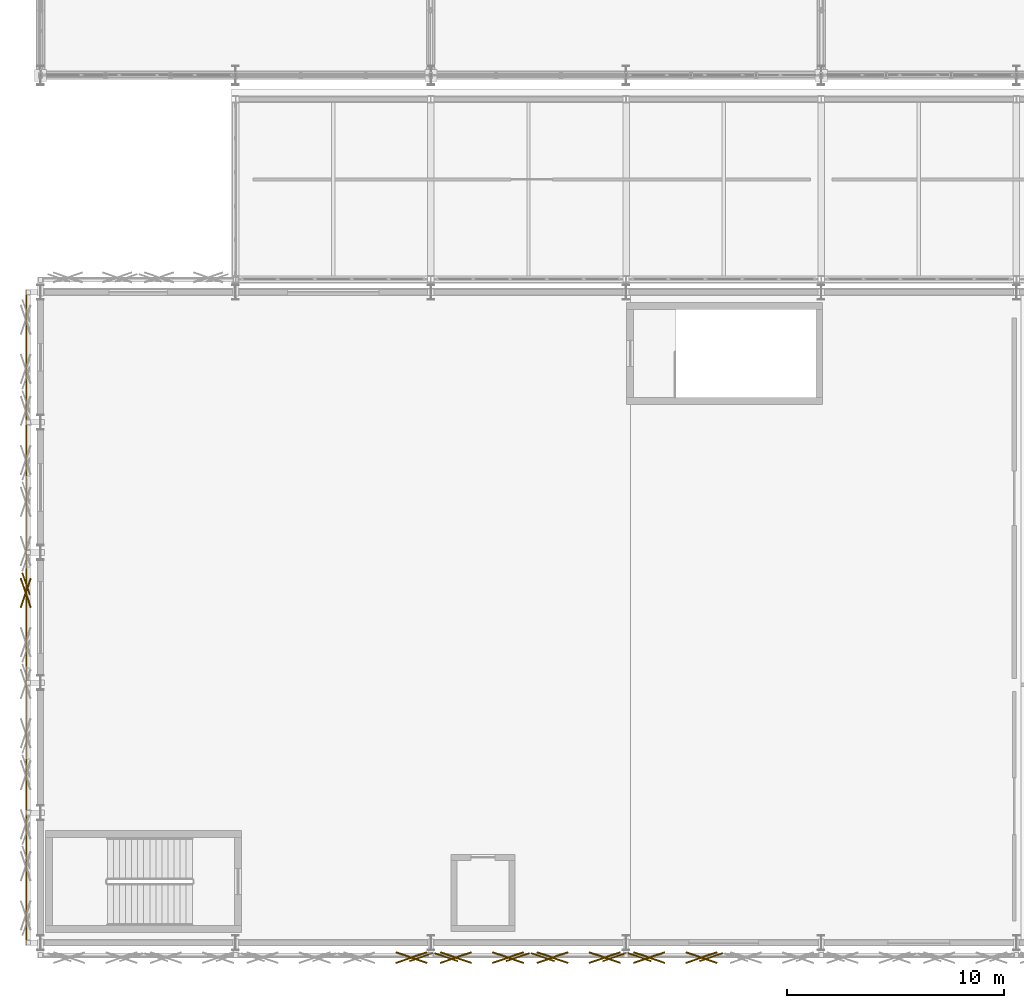
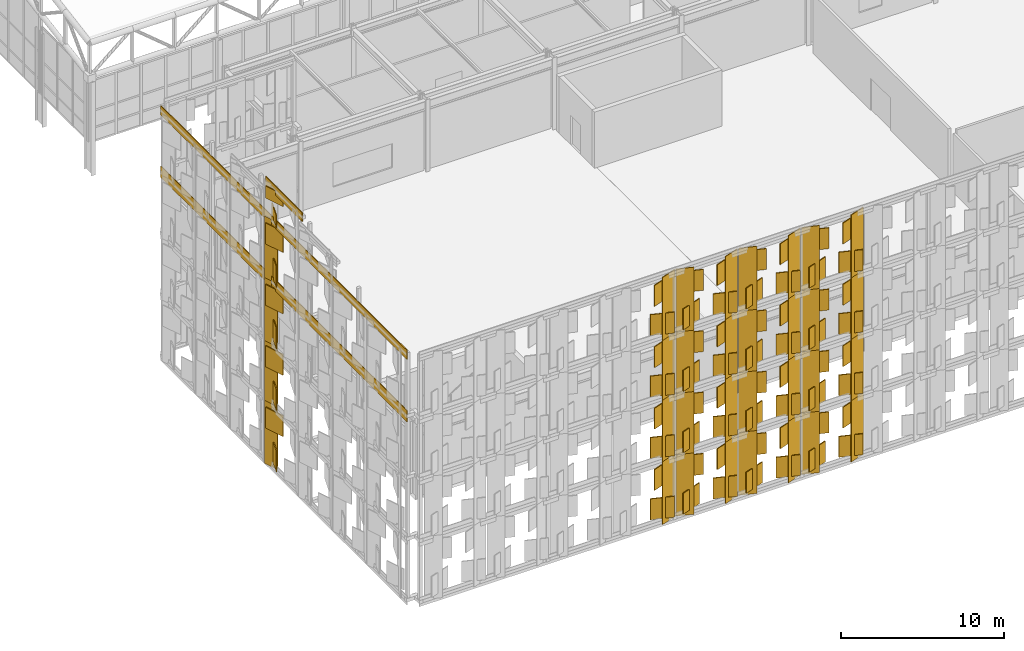
# One storey, part 216 of 239: 101 coverings.
"""IFC4 building model written with IfcOpenShell, lengths in metres."""

from ifc_helpers import new_model, si_unit, direction, frame, origin, origin_2d, place, context, subcontext, project, spatial, rectangle, extrude, material, layer, layer_set, type_object, element, save


model = new_model("IFC4")

# Units and contexts
model_context = context("Model", 3, precision=1e-05, world=origin(), true_north=direction((0.0, 1.0)))
body_context = subcontext(model_context, "Body", "Model", "MODEL_VIEW")
ifc_project = project(units=[si_unit("LENGTHUNIT", "METRE"), si_unit("AREAUNIT", "SQUARE_METRE"), si_unit("VOLUMEUNIT", "CUBIC_METRE"), si_unit("PLANEANGLEUNIT", "RADIAN"), si_unit("MASSUNIT", "GRAM", prefix="KILO")], contexts=[model_context])

# Site, building, storey
site_placement = place(None, origin())
site = spatial("IfcSite", under=ifc_project, at=site_placement, CompositionType="ELEMENT")
building_placement = place(site_placement, origin())
building = spatial("IfcBuilding", under=site, at=building_placement, Name="Kaldris Quays Convention Centre", CompositionType="ELEMENT")
storey_placement = place(building_placement, frame((0.0, 0.0, 11.39990234375)))
storey = spatial("IfcBuildingStorey", under=building, at=storey_placement, Name="L02", CompositionType="ELEMENT", Elevation=11.39990234375)

# Coverings
ifc_material = material(Name="Alabaster white star-pierced anodized aluminium panel", Category="aluminium")
ifc_layer = layer(ifc_material, 0.044921875)
ifc_layer_set = layer_set([ifc_layer], Name="Alabaster white star-pierced anodized aluminium panel")
covering_type = type_object("IfcCoveringType", Name="STAR PIERCED WHITE FOLDED SCREEN CL01", PredefinedType="CLADDING", material=ifc_layer_set)
covering_1_placement = place(storey_placement, frame((37.549072265625, 15.340087890625, -7.60986328125), z_axis=(0.0, 0.0, 1.0), x_axis=(0.945518575599, 0.325568154457, 0.0)))
element("IfcCovering", 1, at=covering_1_placement, inside=storey, type_object=covering_type, Name="V3S Folded White Screen Stile 2792", PredefinedType="CLADDING", context=body_context, shape_type="SweptSolid", body=[
    extrude(rectangle(XDim=1.131103515625, YDim=0.054931640625, at=origin_2d()), origin(), (0.0, 0.0, 1.0), 4.719970703125),
])
for number, where, z_axis, x_axis, name in (
    (2, (37.103515625, 15.320068359375, -7.27392578125), (0.0, 0.0, 1.0), (0.945518575599, -0.325568154457, 0.0), "V3S Carved Star Corner Facet 2795"),
    (3, (37.103515625, 15.320068359375, -4.789794921875), (0.0, 0.0, 1.0), (0.945518575599, 0.325568154457, 0.0), "V3S Carved Star Corner Facet 2796"),
):
    element("IfcCovering", number, at=place(storey_placement, frame(where, z_axis=z_axis, x_axis=x_axis)), inside=storey, type_object=covering_type, Name=name, PredefinedType="CLADDING", context=body_context, shape_type="SweptSolid", body=[
        extrude(rectangle(XDim=1.514892578125, YDim=0.06494140625, at=origin_2d()), origin(), (0.0, 0.0, 1.0), 1.56396484375),
    ])
covering_2_placement = place(storey_placement, frame((37.549072265625, 15.340087890625, -3.009765625), z_axis=(0.0, 0.0, 1.0), x_axis=(0.945518575599, 0.325568154457, 0.0)))
element("IfcCovering", 4, at=covering_2_placement, inside=storey, type_object=covering_type, Name="V3S Folded White Screen Stile 2798", PredefinedType="CLADDING", context=body_context, shape_type="SweptSolid", body=[
    extrude(rectangle(XDim=1.131103515625, YDim=0.054931640625, at=origin_2d()), origin(), (0.0, 0.0, 1.0), 4.719970703125),
])
for number, where, z_axis, x_axis, name in (
    (5, (37.103515625, 15.320068359375, -2.673828125), (0.0, 0.0, 1.0), (0.945518575599, -0.325568154457, 0.0), "V3S Carved Star Corner Facet 2801"),
    (6, (37.103515625, 15.320068359375, -0.18994140625), (0.0, 0.0, 1.0), (0.945518575599, 0.325568154457, 0.0), "V3S Carved Star Corner Facet 2802"),
):
    element("IfcCovering", number, at=place(storey_placement, frame(where, z_axis=z_axis, x_axis=x_axis)), inside=storey, type_object=covering_type, Name=name, PredefinedType="CLADDING", context=body_context, shape_type="SweptSolid", body=[
        extrude(rectangle(XDim=1.514892578125, YDim=0.06494140625, at=origin_2d()), origin(), (0.0, 0.0, 1.0), 1.56396484375),
    ])
covering_3_placement = place(storey_placement, frame((37.549072265625, 15.340087890625, 1.59033203125), z_axis=(0.0, 0.0, 1.0), x_axis=(0.945518575599, 0.325568154457, 0.0)))
element("IfcCovering", 7, at=covering_3_placement, inside=storey, type_object=covering_type, Name="V3S Folded White Screen Stile 2804", PredefinedType="CLADDING", context=body_context, shape_type="SweptSolid", body=[
    extrude(rectangle(XDim=1.131103515625, YDim=0.054931640625, at=origin_2d()), origin(), (0.0, 0.0, 1.0), 4.719970703125),
])
for number, where, z_axis, x_axis, name in (
    (8, (37.103515625, 15.320068359375, 1.926025390625), (0.0, 0.0, 1.0), (0.945518575599, -0.325568154457, 0.0), "V3S Carved Star Corner Facet 2807"),
    (9, (37.103515625, 15.320068359375, 4.41015625), (0.0, 0.0, 1.0), (0.945518575599, 0.325568154457, 0.0), "V3S Carved Star Corner Facet 2808"),
):
    element("IfcCovering", number, at=place(storey_placement, frame(where, z_axis=z_axis, x_axis=x_axis)), inside=storey, type_object=covering_type, Name=name, PredefinedType="CLADDING", context=body_context, shape_type="SweptSolid", body=[
        extrude(rectangle(XDim=1.514892578125, YDim=0.06494140625, at=origin_2d()), origin(), (0.0, 0.0, 1.0), 1.56396484375),
    ])
covering_4_placement = place(storey_placement, frame((37.549072265625, 15.340087890625, 6.18994140625), z_axis=(0.0, 0.0, 1.0), x_axis=(0.945518575599, 0.325568154457, 0.0)))
element("IfcCovering", 10, at=covering_4_placement, inside=storey, type_object=covering_type, Name="V3S Folded White Screen Stile 2810", PredefinedType="CLADDING", context=body_context, shape_type="SweptSolid", body=[
    extrude(rectangle(XDim=1.131103515625, YDim=0.054931640625, at=origin_2d()), origin(), (0.0, 0.0, 1.0), 4.719970703125),
])
for number, where, z_axis, x_axis, name in (
    (11, (37.103515625, 15.320068359375, 6.526123046875), (0.0, 0.0, 1.0), (0.945518575599, -0.325568154457, 0.0), "V3S Carved Star Corner Facet 2813"),
    (12, (37.103515625, 15.320068359375, 9.010009765625), (0.0, 0.0, 1.0), (0.945518575599, 0.325568154457, 0.0), "V3S Carved Star Corner Facet 2814"),
):
    element("IfcCovering", number, at=place(storey_placement, frame(where, z_axis=z_axis, x_axis=x_axis)), inside=storey, type_object=covering_type, Name=name, PredefinedType="CLADDING", context=body_context, shape_type="SweptSolid", body=[
        extrude(rectangle(XDim=1.514892578125, YDim=0.06494140625, at=origin_2d()), origin(), (0.0, 0.0, 1.0), 1.56396484375),
    ])
for number, where, z_axis, x_axis, name in (
    (13, (38.7080078125, 15.340087890625, -7.60986328125), (0.0, 0.0, 1.0), (0.945518575599, -0.325568154457, 0.0), "V3S Folded White Screen Stile 2815"),
    (14, (42.00634765625, 15.340087890625, -7.60986328125), (0.0, 0.0, 1.0), (0.945518575599, 0.325568154457, 0.0), "V3S Folded White Screen Stile 2816"),
):
    element("IfcCovering", number, at=place(storey_placement, frame(where, z_axis=z_axis, x_axis=x_axis)), inside=storey, type_object=covering_type, Name=name, PredefinedType="CLADDING", context=body_context, shape_type="SweptSolid", body=[
        extrude(rectangle(XDim=1.131103515625, YDim=0.054931640625, at=origin_2d()), origin(), (0.0, 0.0, 1.0), 4.719970703125),
    ])
for number, where, z_axis, x_axis, name in (
    (15, (39.15380859375, 15.320068359375, -7.27392578125), (0.0, 0.0, 1.0), (0.945518575599, 0.325568154457, 0.0), "V3S Carved Star Corner Facet 2817"),
    (16, (39.15380859375, 15.320068359375, -4.789794921875), (0.0, 0.0, 1.0), (0.945518575599, -0.325568154457, 0.0), "V3S Carved Star Corner Facet 2818"),
    (17, (41.560546875, 15.320068359375, -7.27392578125), (0.0, 0.0, 1.0), (0.945518575599, -0.325568154457, 0.0), "V3S Carved Star Corner Facet 2819"),
    (18, (41.560546875, 15.320068359375, -4.789794921875), (0.0, 0.0, 1.0), (0.945518575599, 0.325568154457, 0.0), "V3S Carved Star Corner Facet 2820"),
):
    element("IfcCovering", number, at=place(storey_placement, frame(where, z_axis=z_axis, x_axis=x_axis)), inside=storey, type_object=covering_type, Name=name, PredefinedType="CLADDING", context=body_context, shape_type="SweptSolid", body=[
        extrude(rectangle(XDim=1.514892578125, YDim=0.06494140625, at=origin_2d()), origin(), (0.0, 0.0, 1.0), 1.56396484375),
    ])
for number, where, z_axis, x_axis, name in (
    (19, (38.7080078125, 15.340087890625, -3.009765625), (0.0, 0.0, 1.0), (0.945518575599, -0.325568154457, 0.0), "V3S Folded White Screen Stile 2821"),
    (20, (42.00634765625, 15.340087890625, -3.009765625), (0.0, 0.0, 1.0), (0.945518575599, 0.325568154457, 0.0), "V3S Folded White Screen Stile 2822"),
):
    element("IfcCovering", number, at=place(storey_placement, frame(where, z_axis=z_axis, x_axis=x_axis)), inside=storey, type_object=covering_type, Name=name, PredefinedType="CLADDING", context=body_context, shape_type="SweptSolid", body=[
        extrude(rectangle(XDim=1.131103515625, YDim=0.054931640625, at=origin_2d()), origin(), (0.0, 0.0, 1.0), 4.719970703125),
    ])
for number, where, z_axis, x_axis, name in (
    (21, (39.15380859375, 15.320068359375, -2.673828125), (0.0, 0.0, 1.0), (0.945518575599, 0.325568154457, 0.0), "V3S Carved Star Corner Facet 2823"),
    (22, (39.15380859375, 15.320068359375, -0.18994140625), (0.0, 0.0, 1.0), (0.945518575599, -0.325568154457, 0.0), "V3S Carved Star Corner Facet 2824"),
    (23, (41.560546875, 15.320068359375, -2.673828125), (0.0, 0.0, 1.0), (0.945518575599, -0.325568154457, 0.0), "V3S Carved Star Corner Facet 2825"),
    (24, (41.560546875, 15.320068359375, -0.18994140625), (0.0, 0.0, 1.0), (0.945518575599, 0.325568154457, 0.0), "V3S Carved Star Corner Facet 2826"),
):
    element("IfcCovering", number, at=place(storey_placement, frame(where, z_axis=z_axis, x_axis=x_axis)), inside=storey, type_object=covering_type, Name=name, PredefinedType="CLADDING", context=body_context, shape_type="SweptSolid", body=[
        extrude(rectangle(XDim=1.514892578125, YDim=0.06494140625, at=origin_2d()), origin(), (0.0, 0.0, 1.0), 1.56396484375),
    ])
for number, where, z_axis, x_axis, name in (
    (25, (38.7080078125, 15.340087890625, 1.59033203125), (0.0, 0.0, 1.0), (0.945518575599, -0.325568154457, 0.0), "V3S Folded White Screen Stile 2827"),
    (26, (42.00634765625, 15.340087890625, 1.59033203125), (0.0, 0.0, 1.0), (0.945518575599, 0.325568154457, 0.0), "V3S Folded White Screen Stile 2828"),
):
    element("IfcCovering", number, at=place(storey_placement, frame(where, z_axis=z_axis, x_axis=x_axis)), inside=storey, type_object=covering_type, Name=name, PredefinedType="CLADDING", context=body_context, shape_type="SweptSolid", body=[
        extrude(rectangle(XDim=1.131103515625, YDim=0.054931640625, at=origin_2d()), origin(), (0.0, 0.0, 1.0), 4.719970703125),
    ])
for number, where, z_axis, x_axis, name in (
    (27, (39.15380859375, 15.320068359375, 1.926025390625), (0.0, 0.0, 1.0), (0.945518575599, 0.325568154457, 0.0), "V3S Carved Star Corner Facet 2829"),
    (28, (39.15380859375, 15.320068359375, 4.41015625), (0.0, 0.0, 1.0), (0.945518575599, -0.325568154457, 0.0), "V3S Carved Star Corner Facet 2830"),
    (29, (41.560546875, 15.320068359375, 1.926025390625), (0.0, 0.0, 1.0), (0.945518575599, -0.325568154457, 0.0), "V3S Carved Star Corner Facet 2831"),
    (30, (41.560546875, 15.320068359375, 4.41015625), (0.0, 0.0, 1.0), (0.945518575599, 0.325568154457, 0.0), "V3S Carved Star Corner Facet 2832"),
):
    element("IfcCovering", number, at=place(storey_placement, frame(where, z_axis=z_axis, x_axis=x_axis)), inside=storey, type_object=covering_type, Name=name, PredefinedType="CLADDING", context=body_context, shape_type="SweptSolid", body=[
        extrude(rectangle(XDim=1.514892578125, YDim=0.06494140625, at=origin_2d()), origin(), (0.0, 0.0, 1.0), 1.56396484375),
    ])
for number, where, z_axis, x_axis, name in (
    (31, (38.7080078125, 15.340087890625, 6.18994140625), (0.0, 0.0, 1.0), (0.945518575599, -0.325568154457, 0.0), "V3S Folded White Screen Stile 2833"),
    (32, (42.00634765625, 15.340087890625, 6.18994140625), (0.0, 0.0, 1.0), (0.945518575599, 0.325568154457, 0.0), "V3S Folded White Screen Stile 2834"),
):
    element("IfcCovering", number, at=place(storey_placement, frame(where, z_axis=z_axis, x_axis=x_axis)), inside=storey, type_object=covering_type, Name=name, PredefinedType="CLADDING", context=body_context, shape_type="SweptSolid", body=[
        extrude(rectangle(XDim=1.131103515625, YDim=0.054931640625, at=origin_2d()), origin(), (0.0, 0.0, 1.0), 4.719970703125),
    ])
for number, where, z_axis, x_axis, name in (
    (33, (39.15380859375, 15.320068359375, 6.526123046875), (0.0, 0.0, 1.0), (0.945518575599, 0.325568154457, 0.0), "V3S Carved Star Corner Facet 2835"),
    (34, (39.15380859375, 15.320068359375, 9.010009765625), (0.0, 0.0, 1.0), (0.945518575599, -0.325568154457, 0.0), "V3S Carved Star Corner Facet 2836"),
    (35, (41.560546875, 15.320068359375, 6.526123046875), (0.0, 0.0, 1.0), (0.945518575599, -0.325568154457, 0.0), "V3S Carved Star Corner Facet 2837"),
    (36, (41.560546875, 15.320068359375, 9.010009765625), (0.0, 0.0, 1.0), (0.945518575599, 0.325568154457, 0.0), "V3S Carved Star Corner Facet 2838"),
):
    element("IfcCovering", number, at=place(storey_placement, frame(where, z_axis=z_axis, x_axis=x_axis)), inside=storey, type_object=covering_type, Name=name, PredefinedType="CLADDING", context=body_context, shape_type="SweptSolid", body=[
        extrude(rectangle(XDim=1.514892578125, YDim=0.06494140625, at=origin_2d()), origin(), (0.0, 0.0, 1.0), 1.56396484375),
    ])
for number, where, z_axis, x_axis, name in (
    (37, (43.1650390625, 15.340087890625, -7.60986328125), (0.0, 0.0, 1.0), (0.945518575599, -0.325568154457, 0.0), "V3S Folded White Screen Stile 2839"),
    (38, (46.46337890625, 15.340087890625, -7.60986328125), (0.0, 0.0, 1.0), (0.945518575599, 0.325568154457, 0.0), "V3S Folded White Screen Stile 2840"),
):
    element("IfcCovering", number, at=place(storey_placement, frame(where, z_axis=z_axis, x_axis=x_axis)), inside=storey, type_object=covering_type, Name=name, PredefinedType="CLADDING", context=body_context, shape_type="SweptSolid", body=[
        extrude(rectangle(XDim=1.131103515625, YDim=0.054931640625, at=origin_2d()), origin(), (0.0, 0.0, 1.0), 4.719970703125),
    ])
for number, where, z_axis, x_axis, name in (
    (39, (43.61083984375, 15.320068359375, -7.27392578125), (0.0, 0.0, 1.0), (0.945518575599, 0.325568154457, 0.0), "V3S Carved Star Corner Facet 2841"),
    (40, (43.61083984375, 15.320068359375, -4.789794921875), (0.0, 0.0, 1.0), (0.945518575599, -0.325568154457, 0.0), "V3S Carved Star Corner Facet 2842"),
    (41, (46.017578125, 15.320068359375, -7.27392578125), (0.0, 0.0, 1.0), (0.945518575599, -0.325568154457, 0.0), "V3S Carved Star Corner Facet 2843"),
    (42, (46.017578125, 15.320068359375, -4.789794921875), (0.0, 0.0, 1.0), (0.945518575599, 0.325568154457, 0.0), "V3S Carved Star Corner Facet 2844"),
):
    element("IfcCovering", number, at=place(storey_placement, frame(where, z_axis=z_axis, x_axis=x_axis)), inside=storey, type_object=covering_type, Name=name, PredefinedType="CLADDING", context=body_context, shape_type="SweptSolid", body=[
        extrude(rectangle(XDim=1.514892578125, YDim=0.06494140625, at=origin_2d()), origin(), (0.0, 0.0, 1.0), 1.56396484375),
    ])
for number, where, z_axis, x_axis, name in (
    (43, (43.1650390625, 15.340087890625, -3.009765625), (0.0, 0.0, 1.0), (0.945518575599, -0.325568154457, 0.0), "V3S Folded White Screen Stile 2845"),
    (44, (46.46337890625, 15.340087890625, -3.009765625), (0.0, 0.0, 1.0), (0.945518575599, 0.325568154457, 0.0), "V3S Folded White Screen Stile 2846"),
):
    element("IfcCovering", number, at=place(storey_placement, frame(where, z_axis=z_axis, x_axis=x_axis)), inside=storey, type_object=covering_type, Name=name, PredefinedType="CLADDING", context=body_context, shape_type="SweptSolid", body=[
        extrude(rectangle(XDim=1.131103515625, YDim=0.054931640625, at=origin_2d()), origin(), (0.0, 0.0, 1.0), 4.719970703125),
    ])
for number, where, z_axis, x_axis, name in (
    (45, (43.61083984375, 15.320068359375, -2.673828125), (0.0, 0.0, 1.0), (0.945518575599, 0.325568154457, 0.0), "V3S Carved Star Corner Facet 2847"),
    (46, (43.61083984375, 15.320068359375, -0.18994140625), (0.0, 0.0, 1.0), (0.945518575599, -0.325568154457, 0.0), "V3S Carved Star Corner Facet 2848"),
    (47, (46.017578125, 15.320068359375, -2.673828125), (0.0, 0.0, 1.0), (0.945518575599, -0.325568154457, 0.0), "V3S Carved Star Corner Facet 2849"),
    (48, (46.017578125, 15.320068359375, -0.18994140625), (0.0, 0.0, 1.0), (0.945518575599, 0.325568154457, 0.0), "V3S Carved Star Corner Facet 2850"),
):
    element("IfcCovering", number, at=place(storey_placement, frame(where, z_axis=z_axis, x_axis=x_axis)), inside=storey, type_object=covering_type, Name=name, PredefinedType="CLADDING", context=body_context, shape_type="SweptSolid", body=[
        extrude(rectangle(XDim=1.514892578125, YDim=0.06494140625, at=origin_2d()), origin(), (0.0, 0.0, 1.0), 1.56396484375),
    ])
for number, where, z_axis, x_axis, name in (
    (49, (43.1650390625, 15.340087890625, 1.59033203125), (0.0, 0.0, 1.0), (0.945518575599, -0.325568154457, 0.0), "V3S Folded White Screen Stile 2851"),
    (50, (46.46337890625, 15.340087890625, 1.59033203125), (0.0, 0.0, 1.0), (0.945518575599, 0.325568154457, 0.0), "V3S Folded White Screen Stile 2852"),
):
    element("IfcCovering", number, at=place(storey_placement, frame(where, z_axis=z_axis, x_axis=x_axis)), inside=storey, type_object=covering_type, Name=name, PredefinedType="CLADDING", context=body_context, shape_type="SweptSolid", body=[
        extrude(rectangle(XDim=1.131103515625, YDim=0.054931640625, at=origin_2d()), origin(), (0.0, 0.0, 1.0), 4.719970703125),
    ])
for number, where, z_axis, x_axis, name in (
    (51, (43.61083984375, 15.320068359375, 1.926025390625), (0.0, 0.0, 1.0), (0.945518575599, 0.325568154457, 0.0), "V3S Carved Star Corner Facet 2853"),
    (52, (43.61083984375, 15.320068359375, 4.41015625), (0.0, 0.0, 1.0), (0.945518575599, -0.325568154457, 0.0), "V3S Carved Star Corner Facet 2854"),
    (53, (46.017578125, 15.320068359375, 1.926025390625), (0.0, 0.0, 1.0), (0.945518575599, -0.325568154457, 0.0), "V3S Carved Star Corner Facet 2855"),
    (54, (46.017578125, 15.320068359375, 4.41015625), (0.0, 0.0, 1.0), (0.945518575599, 0.325568154457, 0.0), "V3S Carved Star Corner Facet 2856"),
):
    element("IfcCovering", number, at=place(storey_placement, frame(where, z_axis=z_axis, x_axis=x_axis)), inside=storey, type_object=covering_type, Name=name, PredefinedType="CLADDING", context=body_context, shape_type="SweptSolid", body=[
        extrude(rectangle(XDim=1.514892578125, YDim=0.06494140625, at=origin_2d()), origin(), (0.0, 0.0, 1.0), 1.56396484375),
    ])
for number, where, z_axis, x_axis, name in (
    (55, (43.1650390625, 15.340087890625, 6.18994140625), (0.0, 0.0, 1.0), (0.945518575599, -0.325568154457, 0.0), "V3S Folded White Screen Stile 2857"),
    (56, (46.46337890625, 15.340087890625, 6.18994140625), (0.0, 0.0, 1.0), (0.945518575599, 0.325568154457, 0.0), "V3S Folded White Screen Stile 2858"),
):
    element("IfcCovering", number, at=place(storey_placement, frame(where, z_axis=z_axis, x_axis=x_axis)), inside=storey, type_object=covering_type, Name=name, PredefinedType="CLADDING", context=body_context, shape_type="SweptSolid", body=[
        extrude(rectangle(XDim=1.131103515625, YDim=0.054931640625, at=origin_2d()), origin(), (0.0, 0.0, 1.0), 4.719970703125),
    ])
for number, where, z_axis, x_axis, name in (
    (57, (43.61083984375, 15.320068359375, 6.526123046875), (0.0, 0.0, 1.0), (0.945518575599, 0.325568154457, 0.0), "V3S Carved Star Corner Facet 2859"),
    (58, (43.61083984375, 15.320068359375, 9.010009765625), (0.0, 0.0, 1.0), (0.945518575599, -0.325568154457, 0.0), "V3S Carved Star Corner Facet 2860"),
    (59, (46.017578125, 15.320068359375, 6.526123046875), (0.0, 0.0, 1.0), (0.945518575599, -0.325568154457, 0.0), "V3S Carved Star Corner Facet 2861"),
    (60, (46.017578125, 15.320068359375, 9.010009765625), (0.0, 0.0, 1.0), (0.945518575599, 0.325568154457, 0.0), "V3S Carved Star Corner Facet 2862"),
):
    element("IfcCovering", number, at=place(storey_placement, frame(where, z_axis=z_axis, x_axis=x_axis)), inside=storey, type_object=covering_type, Name=name, PredefinedType="CLADDING", context=body_context, shape_type="SweptSolid", body=[
        extrude(rectangle(XDim=1.514892578125, YDim=0.06494140625, at=origin_2d()), origin(), (0.0, 0.0, 1.0), 1.56396484375),
    ])
for number, where, z_axis, x_axis, name in (
    (61, (47.622314453125, 15.340087890625, -7.60986328125), (0.0, 0.0, 1.0), (0.945518575599, -0.325568154457, 0.0), "V3S Folded White Screen Stile 2863"),
    (62, (50.920654296875, 15.340087890625, -7.60986328125), (0.0, 0.0, 1.0), (0.945518575599, 0.325568154457, 0.0), "V3S Folded White Screen Stile 2864"),
):
    element("IfcCovering", number, at=place(storey_placement, frame(where, z_axis=z_axis, x_axis=x_axis)), inside=storey, type_object=covering_type, Name=name, PredefinedType="CLADDING", context=body_context, shape_type="SweptSolid", body=[
        extrude(rectangle(XDim=1.131103515625, YDim=0.054931640625, at=origin_2d()), origin(), (0.0, 0.0, 1.0), 4.719970703125),
    ])
for number, where, z_axis, x_axis, name in (
    (63, (48.068115234375, 15.320068359375, -7.27392578125), (0.0, 0.0, 1.0), (0.945518575599, 0.325568154457, 0.0), "V3S Carved Star Corner Facet 2865"),
    (64, (48.068115234375, 15.320068359375, -4.789794921875), (0.0, 0.0, 1.0), (0.945518575599, -0.325568154457, 0.0), "V3S Carved Star Corner Facet 2866"),
    (65, (50.474853515625, 15.320068359375, -7.27392578125), (0.0, 0.0, 1.0), (0.945518575599, -0.325568154457, 0.0), "V3S Carved Star Corner Facet 2867"),
    (66, (50.474853515625, 15.320068359375, -4.789794921875), (0.0, 0.0, 1.0), (0.945518575599, 0.325568154457, 0.0), "V3S Carved Star Corner Facet 2868"),
):
    element("IfcCovering", number, at=place(storey_placement, frame(where, z_axis=z_axis, x_axis=x_axis)), inside=storey, type_object=covering_type, Name=name, PredefinedType="CLADDING", context=body_context, shape_type="SweptSolid", body=[
        extrude(rectangle(XDim=1.514892578125, YDim=0.06494140625, at=origin_2d()), origin(), (0.0, 0.0, 1.0), 1.56396484375),
    ])
for number, where, z_axis, x_axis, name in (
    (67, (47.622314453125, 15.340087890625, -3.009765625), (0.0, 0.0, 1.0), (0.945518575599, -0.325568154457, 0.0), "V3S Folded White Screen Stile 2869"),
    (68, (50.920654296875, 15.340087890625, -3.009765625), (0.0, 0.0, 1.0), (0.945518575599, 0.325568154457, 0.0), "V3S Folded White Screen Stile 2870"),
):
    element("IfcCovering", number, at=place(storey_placement, frame(where, z_axis=z_axis, x_axis=x_axis)), inside=storey, type_object=covering_type, Name=name, PredefinedType="CLADDING", context=body_context, shape_type="SweptSolid", body=[
        extrude(rectangle(XDim=1.131103515625, YDim=0.054931640625, at=origin_2d()), origin(), (0.0, 0.0, 1.0), 4.719970703125),
    ])
for number, where, z_axis, x_axis, name in (
    (69, (48.068115234375, 15.320068359375, -2.673828125), (0.0, 0.0, 1.0), (0.945518575599, 0.325568154457, 0.0), "V3S Carved Star Corner Facet 2871"),
    (70, (48.068115234375, 15.320068359375, -0.18994140625), (0.0, 0.0, 1.0), (0.945518575599, -0.325568154457, 0.0), "V3S Carved Star Corner Facet 2872"),
    (71, (50.474853515625, 15.320068359375, -2.673828125), (0.0, 0.0, 1.0), (0.945518575599, -0.325568154457, 0.0), "V3S Carved Star Corner Facet 2873"),
    (72, (50.474853515625, 15.320068359375, -0.18994140625), (0.0, 0.0, 1.0), (0.945518575599, 0.325568154457, 0.0), "V3S Carved Star Corner Facet 2874"),
):
    element("IfcCovering", number, at=place(storey_placement, frame(where, z_axis=z_axis, x_axis=x_axis)), inside=storey, type_object=covering_type, Name=name, PredefinedType="CLADDING", context=body_context, shape_type="SweptSolid", body=[
        extrude(rectangle(XDim=1.514892578125, YDim=0.06494140625, at=origin_2d()), origin(), (0.0, 0.0, 1.0), 1.56396484375),
    ])
for number, where, z_axis, x_axis, name in (
    (73, (47.622314453125, 15.340087890625, 1.59033203125), (0.0, 0.0, 1.0), (0.945518575599, -0.325568154457, 0.0), "V3S Folded White Screen Stile 2875"),
    (74, (50.920654296875, 15.340087890625, 1.59033203125), (0.0, 0.0, 1.0), (0.945518575599, 0.325568154457, 0.0), "V3S Folded White Screen Stile 2876"),
):
    element("IfcCovering", number, at=place(storey_placement, frame(where, z_axis=z_axis, x_axis=x_axis)), inside=storey, type_object=covering_type, Name=name, PredefinedType="CLADDING", context=body_context, shape_type="SweptSolid", body=[
        extrude(rectangle(XDim=1.131103515625, YDim=0.054931640625, at=origin_2d()), origin(), (0.0, 0.0, 1.0), 4.719970703125),
    ])
for number, where, z_axis, x_axis, name in (
    (75, (48.068115234375, 15.320068359375, 1.926025390625), (0.0, 0.0, 1.0), (0.945518575599, 0.325568154457, 0.0), "V3S Carved Star Corner Facet 2877"),
    (76, (48.068115234375, 15.320068359375, 4.41015625), (0.0, 0.0, 1.0), (0.945518575599, -0.325568154457, 0.0), "V3S Carved Star Corner Facet 2878"),
    (77, (50.474853515625, 15.320068359375, 1.926025390625), (0.0, 0.0, 1.0), (0.945518575599, -0.325568154457, 0.0), "V3S Carved Star Corner Facet 2879"),
    (78, (50.474853515625, 15.320068359375, 4.41015625), (0.0, 0.0, 1.0), (0.945518575599, 0.325568154457, 0.0), "V3S Carved Star Corner Facet 2880"),
):
    element("IfcCovering", number, at=place(storey_placement, frame(where, z_axis=z_axis, x_axis=x_axis)), inside=storey, type_object=covering_type, Name=name, PredefinedType="CLADDING", context=body_context, shape_type="SweptSolid", body=[
        extrude(rectangle(XDim=1.514892578125, YDim=0.06494140625, at=origin_2d()), origin(), (0.0, 0.0, 1.0), 1.56396484375),
    ])
for number, where, z_axis, x_axis, name in (
    (79, (47.622314453125, 15.340087890625, 6.18994140625), (0.0, 0.0, 1.0), (0.945518575599, -0.325568154457, 0.0), "V3S Folded White Screen Stile 2881"),
    (80, (50.920654296875, 15.340087890625, 6.18994140625), (0.0, 0.0, 1.0), (0.945518575599, 0.325568154457, 0.0), "V3S Folded White Screen Stile 2882"),
):
    element("IfcCovering", number, at=place(storey_placement, frame(where, z_axis=z_axis, x_axis=x_axis)), inside=storey, type_object=covering_type, Name=name, PredefinedType="CLADDING", context=body_context, shape_type="SweptSolid", body=[
        extrude(rectangle(XDim=1.131103515625, YDim=0.054931640625, at=origin_2d()), origin(), (0.0, 0.0, 1.0), 4.719970703125),
    ])
for number, where, z_axis, x_axis, name in (
    (81, (48.068115234375, 15.320068359375, 6.526123046875), (0.0, 0.0, 1.0), (0.945518575599, 0.325568154457, 0.0), "V3S Carved Star Corner Facet 2883"),
    (82, (48.068115234375, 15.320068359375, 9.010009765625), (0.0, 0.0, 1.0), (0.945518575599, -0.325568154457, 0.0), "V3S Carved Star Corner Facet 2884"),
    (83, (50.474853515625, 15.320068359375, 6.526123046875), (0.0, 0.0, 1.0), (0.945518575599, -0.325568154457, 0.0), "V3S Carved Star Corner Facet 2885"),
    (84, (50.474853515625, 15.320068359375, 9.010009765625), (0.0, 0.0, 1.0), (0.945518575599, 0.325568154457, 0.0), "V3S Carved Star Corner Facet 2886"),
):
    element("IfcCovering", number, at=place(storey_placement, frame(where, z_axis=z_axis, x_axis=x_axis)), inside=storey, type_object=covering_type, Name=name, PredefinedType="CLADDING", context=body_context, shape_type="SweptSolid", body=[
        extrude(rectangle(XDim=1.514892578125, YDim=0.06494140625, at=origin_2d()), origin(), (0.0, 0.0, 1.0), 1.56396484375),
    ])
covering_5_placement = place(storey_placement, frame((19.35009765625, 31.0, 5.830078125), z_axis=(0.0, 0.0, 1.0), x_axis=(0.0, 1.0, 0.0)))
element("IfcCovering", 85, at=covering_5_placement, inside=storey, type_object=covering_type, Name="V3W White Screen Folded Band 3258", PredefinedType="CLADDING", context=body_context, shape_type="SweptSolid", body=[
    extrude(rectangle(XDim=30.239990234375, YDim=0.054931640625, at=origin_2d()), origin(), (0.0, 0.0, 1.0), 0.840087890625),
])
covering_6_placement = place(storey_placement, frame((19.35009765625, 31.0, 10.51025390625), z_axis=(0.0, 0.0, 1.0), x_axis=(0.0, 1.0, 0.0)))
element("IfcCovering", 86, at=covering_6_placement, inside=storey, type_object=covering_type, Name="V3W White Screen Folded Band 3259", PredefinedType="CLADDING", context=body_context, shape_type="SweptSolid", body=[
    extrude(rectangle(XDim=30.239990234375, YDim=0.054931640625, at=origin_2d()), origin(), (0.0, 0.0, 1.0), 0.679931640625),
])
covering_7_placement = place(storey_placement, frame((19.35009765625, 31.0, 13.02392578125), z_axis=(0.0, 0.0, 1.0), x_axis=(0.0, 1.0, 0.0)))
element("IfcCovering", 87, at=covering_7_placement, inside=storey, type_object=covering_type, Name="V3W Gable White Screen Cap Band 3339", PredefinedType="CLADDING", context=body_context, shape_type="SweptSolid", body=[
    extrude(rectangle(XDim=4.5, YDim=0.054931640625, at=origin_2d()), origin(), (0.0, 0.0, 1.0), 0.679931640625),
])
covering_8_placement = place(storey_placement, frame((19.340087890625, 32.553955078125, -7.60986328125), z_axis=(0.0, 0.0, 1.0), x_axis=(-0.325568154457, 0.945518575599, 0.0)))
element("IfcCovering", 88, at=covering_8_placement, inside=storey, type_object=covering_type, Name="V3W Folded White Screen Stile 3341", PredefinedType="CLADDING", context=body_context, shape_type="SweptSolid", body=[
    extrude(rectangle(XDim=1.06591796875, YDim=0.054931640625, at=origin_2d()), origin(), (0.0, 0.0, 1.0), 4.719970703125),
])
for number, where, z_axis, x_axis, name in (
    (89, (19.320068359375, 32.134033203125, -7.27392578125), (0.0, 0.0, 1.0), (0.325568154457, 0.945518575599, 0.0), "V3W Carved Star Corner Facet 3344"),
    (90, (19.320068359375, 32.134033203125, -4.789794921875), (0.0, 0.0, 1.0), (-0.325568154457, 0.945518575599, 0.0), "V3W Carved Star Corner Facet 3345"),
):
    element("IfcCovering", number, at=place(storey_placement, frame(where, z_axis=z_axis, x_axis=x_axis)), inside=storey, type_object=covering_type, Name=name, PredefinedType="CLADDING", context=body_context, shape_type="SweptSolid", body=[
        extrude(rectangle(XDim=1.427978515625, YDim=0.06494140625, at=origin_2d()), origin(), (0.0, 0.0, 1.0), 1.56396484375),
    ])
covering_9_placement = place(storey_placement, frame((19.340087890625, 32.553955078125, -3.009765625), z_axis=(0.0, 0.0, 1.0), x_axis=(-0.325568154457, 0.945518575599, 0.0)))
element("IfcCovering", 91, at=covering_9_placement, inside=storey, type_object=covering_type, Name="V3W Folded White Screen Stile 3347", PredefinedType="CLADDING", context=body_context, shape_type="SweptSolid", body=[
    extrude(rectangle(XDim=1.06591796875, YDim=0.054931640625, at=origin_2d()), origin(), (0.0, 0.0, 1.0), 4.719970703125),
])
for number, where, z_axis, x_axis, name in (
    (92, (19.320068359375, 32.134033203125, -2.673828125), (0.0, 0.0, 1.0), (0.325568154457, 0.945518575599, 0.0), "V3W Carved Star Corner Facet 3350"),
    (93, (19.320068359375, 32.134033203125, -0.18994140625), (0.0, 0.0, 1.0), (-0.325568154457, 0.945518575599, 0.0), "V3W Carved Star Corner Facet 3351"),
):
    element("IfcCovering", number, at=place(storey_placement, frame(where, z_axis=z_axis, x_axis=x_axis)), inside=storey, type_object=covering_type, Name=name, PredefinedType="CLADDING", context=body_context, shape_type="SweptSolid", body=[
        extrude(rectangle(XDim=1.427978515625, YDim=0.06494140625, at=origin_2d()), origin(), (0.0, 0.0, 1.0), 1.56396484375),
    ])
covering_10_placement = place(storey_placement, frame((19.340087890625, 32.553955078125, 1.59033203125), z_axis=(0.0, 0.0, 1.0), x_axis=(-0.325568154457, 0.945518575599, 0.0)))
element("IfcCovering", 94, at=covering_10_placement, inside=storey, type_object=covering_type, Name="V3W Folded White Screen Stile 3353", PredefinedType="CLADDING", context=body_context, shape_type="SweptSolid", body=[
    extrude(rectangle(XDim=1.06591796875, YDim=0.054931640625, at=origin_2d()), origin(), (0.0, 0.0, 1.0), 4.719970703125),
])
for number, where, z_axis, x_axis, name in (
    (95, (19.320068359375, 32.134033203125, 1.926025390625), (0.0, 0.0, 1.0), (0.325568154457, 0.945518575599, 0.0), "V3W Carved Star Corner Facet 3356"),
    (96, (19.320068359375, 32.134033203125, 4.41015625), (0.0, 0.0, 1.0), (-0.325568154457, 0.945518575599, 0.0), "V3W Carved Star Corner Facet 3357"),
):
    element("IfcCovering", number, at=place(storey_placement, frame(where, z_axis=z_axis, x_axis=x_axis)), inside=storey, type_object=covering_type, Name=name, PredefinedType="CLADDING", context=body_context, shape_type="SweptSolid", body=[
        extrude(rectangle(XDim=1.427978515625, YDim=0.06494140625, at=origin_2d()), origin(), (0.0, 0.0, 1.0), 1.56396484375),
    ])
covering_11_placement = place(storey_placement, frame((19.340087890625, 32.553955078125, 6.18994140625), z_axis=(0.0, 0.0, 1.0), x_axis=(-0.325568154457, 0.945518575599, 0.0)))
element("IfcCovering", 97, at=covering_11_placement, inside=storey, type_object=covering_type, Name="V3W Folded White Screen Stile 3359", PredefinedType="CLADDING", context=body_context, shape_type="SweptSolid", body=[
    extrude(rectangle(XDim=1.06591796875, YDim=0.054931640625, at=origin_2d()), origin(), (0.0, 0.0, 1.0), 4.719970703125),
])
for number, where, z_axis, x_axis, name in (
    (98, (19.320068359375, 32.134033203125, 6.526123046875), (0.0, 0.0, 1.0), (0.325568154457, 0.945518575599, 0.0), "V3W Carved Star Corner Facet 3362"),
    (99, (19.320068359375, 32.134033203125, 9.010009765625), (0.0, 0.0, 1.0), (-0.325568154457, 0.945518575599, 0.0), "V3W Carved Star Corner Facet 3363"),
):
    element("IfcCovering", number, at=place(storey_placement, frame(where, z_axis=z_axis, x_axis=x_axis)), inside=storey, type_object=covering_type, Name=name, PredefinedType="CLADDING", context=body_context, shape_type="SweptSolid", body=[
        extrude(rectangle(XDim=1.427978515625, YDim=0.06494140625, at=origin_2d()), origin(), (0.0, 0.0, 1.0), 1.56396484375),
    ])
for number, where, z_axis, x_axis, name in (
    (100, (19.320068359375, 32.134033203125, 11.009765625), (0.0, 0.0, 1.0), (0.325568154457, 0.945518575599, 0.0), "V3W Carved Star Corner Facet 3368"),
    (101, (19.320068359375, 32.134033203125, 12.4482421875), (0.0, 0.0, 1.0), (-0.325568154457, 0.945518575599, 0.0), "V3W Carved Star Corner Facet 3369"),
):
    element("IfcCovering", number, at=place(storey_placement, frame(where, z_axis=z_axis, x_axis=x_axis)), inside=storey, type_object=covering_type, Name=name, PredefinedType="CLADDING", context=body_context, shape_type="SweptSolid", body=[
        extrude(rectangle(XDim=1.427978515625, YDim=0.06494140625, at=origin_2d()), origin(), (0.0, 0.0, 1.0), 0.906005859375),
    ])

save(model, "model.ifc")
